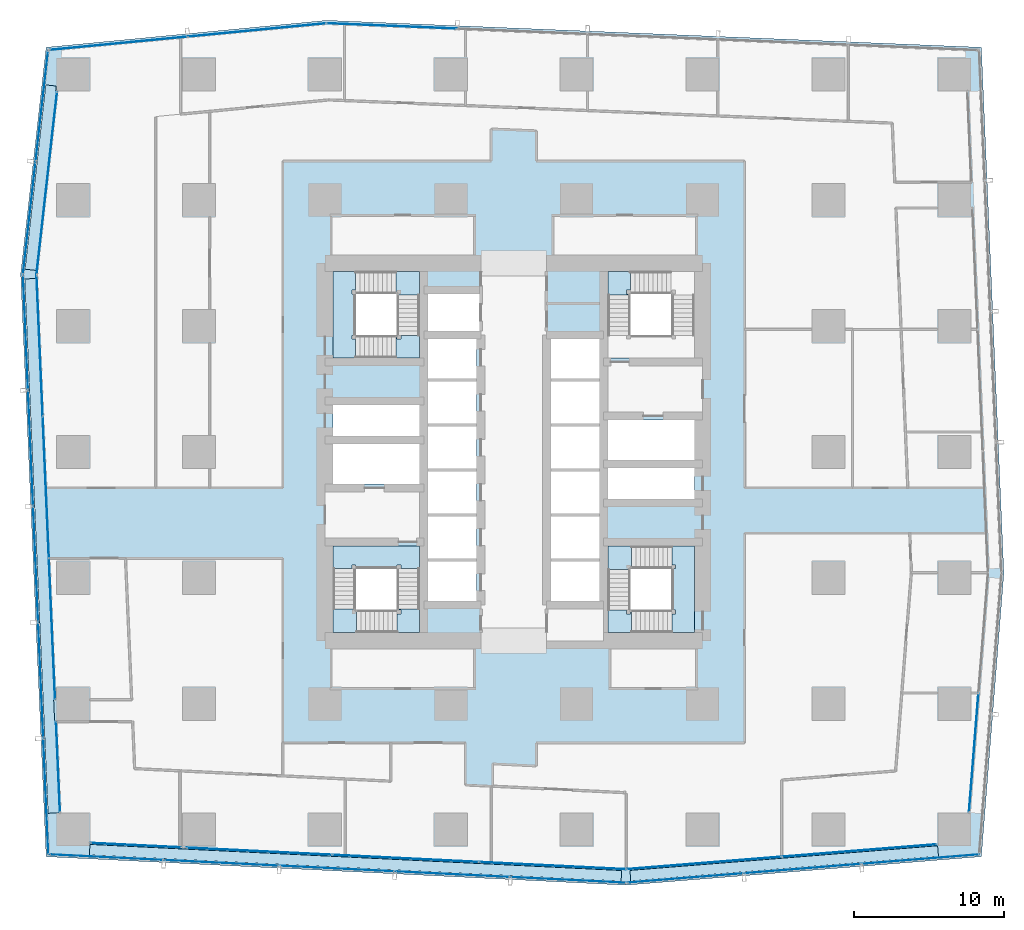
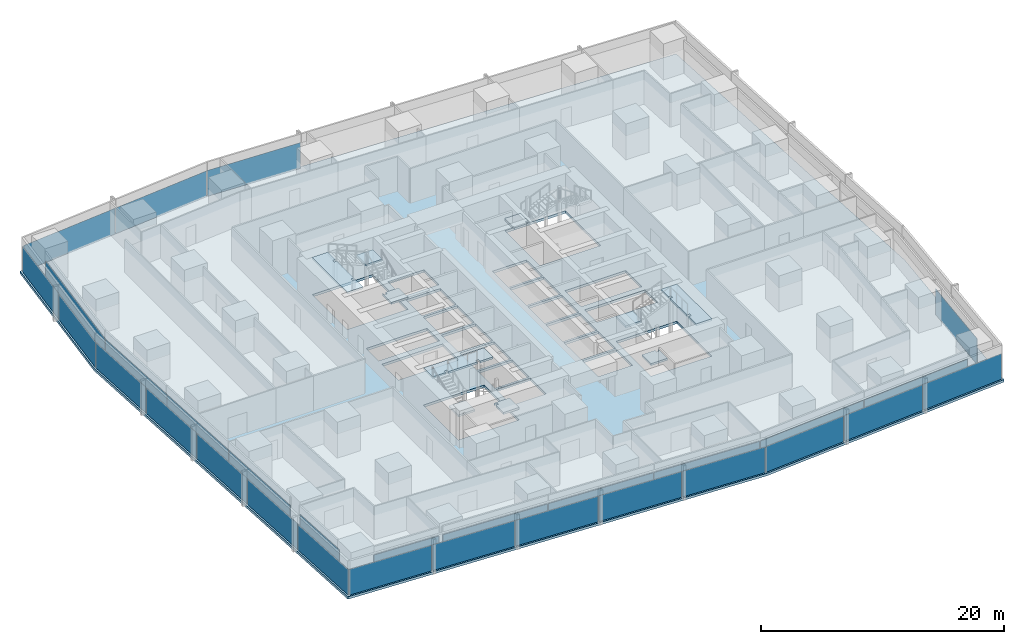
# One storey, part 30 of 44: 34 plates, 11 slabs, 17 elements without a shape of their own.
"""IFC4 building model written with IfcOpenShell, lengths in metres."""

from ifc_helpers import new_model, si_unit, direction, frame, origin, origin_2d, place, context, subcontext, project, spatial, polyline, rectangle, outline, extrude, material, layer, layer_set, type_object, element, aggregate, save


model = new_model("IFC4")

# Units and contexts
model_context = context("Model", 3, precision=1e-05, world=origin(), true_north=direction((0.0, 1.0)))
body_context = subcontext(model_context, "Body", "Model", "MODEL_VIEW")
ifc_project = project(units=[si_unit("LENGTHUNIT", "METRE"), si_unit("AREAUNIT", "SQUARE_METRE"), si_unit("VOLUMEUNIT", "CUBIC_METRE"), si_unit("PLANEANGLEUNIT", "RADIAN"), si_unit("MASSUNIT", "GRAM", prefix="KILO")], contexts=[model_context])

# Site, building, storey
site_placement = place(None, origin())
site = spatial("IfcSite", under=ifc_project, at=site_placement, CompositionType="ELEMENT")
building_placement = place(site_placement, origin())
building = spatial("IfcBuilding", under=site, at=building_placement, Name="Rekha Terrace Tower", CompositionType="ELEMENT")
storey_placement = place(building_placement, frame((0.0, 0.0, 59.14990234375)))
storey = spatial("IfcBuildingStorey", under=building, at=storey_placement, Name="L14", CompositionType="ELEMENT", Elevation=59.14990234375)

# Curtain wall, plate
ifc_material_1 = material(Name="Aluminium framing", Category="aluminium")
curtain_wall_type_1 = type_object("IfcCurtainWallType", Name="CW1 double skin inner glazing", PredefinedType="USERDEFINED", material=ifc_material_1)
curtain_wall_1_placement = place(storey_placement, origin())
curtain_wall_1 = element("IfcCurtainWall", 1, at=curtain_wall_1_placement, inside=storey, type_object=curtain_wall_type_1, Name="CW1 double skin inner glazing", ObjectType="DOUBLE SKIN INNER GLAZING", PredefinedType="USERDEFINED")
ifc_material_2 = material(Name="Double-glazed low-e unit 32", Category="glass")
ifc_layer_1 = layer(ifc_material_2, 0.031982421875)
ifc_layer_set_1 = layer_set([ifc_layer_1], Name="Double-glazed low-e unit 32")
plate_type_1 = type_object("IfcPlateType", Name="CW1 jumbo vision panel, double-glazed low-e unit 32", PredefinedType="CURTAIN_PANEL", material=ifc_layer_set_1)
plate_1_placement = place(storey_placement, frame((12.60009765625, 7.36669921875, 0.0), z_axis=(0.0, 0.0, 1.0), x_axis=(0.998796239977, -0.049051717693, 0.0)))
plate_1 = element("IfcPlate", 2, at=plate_1_placement, type_object=plate_type_1, Name="CW1 panel 1.1", PredefinedType="CURTAIN_PANEL", context=body_context, shape_type="SweptSolid", body=[
    extrude(rectangle(XDim=6.028076171875, YDim=0.031982421875, at=origin_2d()), origin(), (0.0, 0.0, 1.0), 2.60009765625),
])
aggregate(curtain_wall_1, [plate_1])

# Curtain wall, plates
curtain_wall_2_placement = place(storey_placement, origin())
curtain_wall_2 = element("IfcCurtainWall", 3, at=curtain_wall_2_placement, inside=storey, type_object=curtain_wall_type_1, Name="CW1 double skin inner glazing", ObjectType="DOUBLE SKIN INNER GLAZING", PredefinedType="USERDEFINED")
plate_2_placement = place(storey_placement, frame((20.818603515625, 6.962890625, 0.0), z_axis=(0.0, 0.0, 1.0), x_axis=(0.998796239974, -0.049051717746, 0.0)))
plate_2 = element("IfcPlate", 4, at=plate_2_placement, type_object=plate_type_1, Name="CW1 panel 1.1", PredefinedType="CURTAIN_PANEL", context=body_context, shape_type="SweptSolid", body=[
    extrude(rectangle(XDim=9.701904296875, YDim=0.031982421875, at=origin_2d()), origin(), (0.0, 0.0, 1.0), 2.60009765625),
])
plate_3_placement = place(storey_placement, frame((30.590087890625, 6.483154296875, 0.0), z_axis=(0.0, 0.0, 1.0), x_axis=(0.998796239974, -0.049051717746, 0.0)))
plate_3 = element("IfcPlate", 5, at=plate_3_placement, type_object=plate_type_1, Name="CW1 panel 2.1", PredefinedType="CURTAIN_PANEL", context=body_context, shape_type="SweptSolid", body=[
    extrude(rectangle(XDim=9.734619140625, YDim=0.031982421875, at=origin_2d()), origin(), (0.0, 0.0, 1.0), 2.60009765625),
])
plate_4_placement = place(storey_placement, frame((40.39404296875, 6.001708984375, 0.0), z_axis=(0.0, 0.0, 1.0), x_axis=(0.998796239974, -0.049051717746, 0.0)))
plate_4 = element("IfcPlate", 6, at=plate_4_placement, type_object=plate_type_1, Name="CW1 panel 3.1", PredefinedType="CURTAIN_PANEL", context=body_context, shape_type="SweptSolid", body=[
    extrude(rectangle(XDim=9.76708984375, YDim=0.031982421875, at=origin_2d()), origin(), (0.0, 0.0, 1.0), 2.60009765625),
])
aggregate(curtain_wall_2, [plate_2, plate_3, plate_4])

curtain_wall_3_placement = place(storey_placement, origin())
curtain_wall_3 = element("IfcCurtainWall", 7, at=curtain_wall_3_placement, inside=storey, type_object=curtain_wall_type_1, Name="CW1 double skin inner glazing", ObjectType="DOUBLE SKIN INNER GLAZING", PredefinedType="USERDEFINED")
plate_5_placement = place(storey_placement, frame((50.488037109375, 6.18017578125, 0.0), z_axis=(0.0, 0.0, 1.0), x_axis=(0.996805111821, 0.079872204468, 0.0)))
plate_5 = element("IfcPlate", 8, at=plate_5_placement, type_object=plate_type_1, Name="CW1 panel 1.1", PredefinedType="CURTAIN_PANEL", context=body_context, shape_type="SweptSolid", body=[
    extrude(rectangle(XDim=10.336181640625, YDim=0.031982421875, at=origin_2d()), origin(), (0.0, 0.0, 1.0), 2.60009765625),
])
plate_6_placement = place(storey_placement, frame((60.85595703125, 7.0107421875, 0.0), z_axis=(0.0, 0.0, 1.0), x_axis=(0.996805111821, 0.079872204468, 0.0)))
plate_6 = element("IfcPlate", 9, at=plate_6_placement, type_object=plate_type_1, Name="CW1 panel 2.1", PredefinedType="CURTAIN_PANEL", context=body_context, shape_type="SweptSolid", body=[
    extrude(rectangle(XDim=10.336181640625, YDim=0.031982421875, at=origin_2d()), origin(), (0.0, 0.0, 1.0), 2.60009765625),
])
aggregate(curtain_wall_3, [plate_5, plate_6])

# Curtain wall, plate
curtain_wall_4_placement = place(storey_placement, origin())
curtain_wall_4 = element("IfcCurtainWall", 10, at=curtain_wall_4_placement, inside=storey, type_object=curtain_wall_type_1, Name="CW1 double skin inner glazing", ObjectType="DOUBLE SKIN INNER GLAZING", PredefinedType="USERDEFINED")
plate_7_placement = place(storey_placement, frame((68.487548828125, 13.541748046875, 0.0), z_axis=(0.0, 0.0, 1.0), x_axis=(0.079116301, 0.996865392576, 0.0)))
plate_7 = element("IfcPlate", 11, at=plate_7_placement, type_object=plate_type_1, Name="CW1 panel 1.1", PredefinedType="CURTAIN_PANEL", context=body_context, shape_type="SweptSolid", body=[
    extrude(rectangle(XDim=7.923583984375, YDim=0.031982421875, at=origin_2d()), origin(), (0.0, 0.0, 1.0), 2.60009765625),
])
aggregate(curtain_wall_4, [plate_7])

curtain_wall_5_placement = place(storey_placement, origin())
curtain_wall_5 = element("IfcCurtainWall", 12, at=curtain_wall_5_placement, inside=storey, type_object=curtain_wall_type_1, Name="CW1 double skin inner glazing", ObjectType="DOUBLE SKIN INNER GLAZING", PredefinedType="USERDEFINED")
plate_8_placement = place(storey_placement, frame((6.646728515625, 51.52734375, 0.0), z_axis=(0.0, 0.0, 1.0), x_axis=(-0.111729870748, -0.993738615524, 0.0)))
plate_8 = element("IfcPlate", 13, at=plate_8_placement, type_object=plate_type_1, Name="CW1 panel 1.1", PredefinedType="CURTAIN_PANEL", context=body_context, shape_type="SweptSolid", body=[
    extrude(rectangle(XDim=12.243896484375, YDim=0.031982421875, at=origin_2d()), origin(), (0.0, 0.0, 1.0), 2.60009765625),
])
aggregate(curtain_wall_5, [plate_8])

# Curtain wall, plates
curtain_wall_6_placement = place(storey_placement, origin())
curtain_wall_6 = element("IfcCurtainWall", 14, at=curtain_wall_6_placement, inside=storey, type_object=curtain_wall_type_1, Name="CW1 double skin inner glazing", ObjectType="DOUBLE SKIN INNER GLAZING", PredefinedType="USERDEFINED")
plate_9_placement = place(storey_placement, frame((6.170166015625, 40.69482421875, 0.0), z_axis=(0.0, 0.0, 1.0), x_axis=(0.043682543337, -0.999045462133, 0.0)))
plate_9 = element("IfcPlate", 15, at=plate_9_placement, type_object=plate_type_1, Name="CW1 panel 1.1", PredefinedType="CURTAIN_PANEL", context=body_context, shape_type="SweptSolid", body=[
    extrude(rectangle(XDim=9.376953125, YDim=0.031982421875, at=origin_2d()), origin(), (0.0, 0.0, 1.0), 2.60009765625),
])
plate_10_placement = place(storey_placement, frame((6.58349609375, 31.245361328125, 0.0), z_axis=(0.0, 0.0, 1.0), x_axis=(0.043682543337, -0.999045462133, 0.0)))
plate_10 = element("IfcPlate", 16, at=plate_10_placement, type_object=plate_type_1, Name="CW1 panel 2.1", PredefinedType="CURTAIN_PANEL", context=body_context, shape_type="SweptSolid", body=[
    extrude(rectangle(XDim=9.40966796875, YDim=0.031982421875, at=origin_2d()), origin(), (0.0, 0.0, 1.0), 2.60009765625),
])
plate_11_placement = place(storey_placement, frame((6.99658203125, 21.796142578125, 0.0), z_axis=(0.0, 0.0, 1.0), x_axis=(0.043682543337, -0.999045462133, 0.0)))
plate_11 = element("IfcPlate", 17, at=plate_11_placement, type_object=plate_type_1, Name="CW1 panel 3.1", PredefinedType="CURTAIN_PANEL", context=body_context, shape_type="SweptSolid", body=[
    extrude(rectangle(XDim=9.376953125, YDim=0.031982421875, at=origin_2d()), origin(), (0.0, 0.0, 1.0), 2.60009765625),
])
aggregate(curtain_wall_6, [plate_9, plate_10, plate_11])

# Curtain wall, plate
curtain_wall_7_placement = place(storey_placement, origin())
curtain_wall_7 = element("IfcCurtainWall", 18, at=curtain_wall_7_placement, inside=storey, type_object=curtain_wall_type_1, Name="CW1 double skin inner glazing", ObjectType="DOUBLE SKIN INNER GLAZING", PredefinedType="USERDEFINED")
plate_12_placement = place(storey_placement, frame((7.398681640625, 12.60009765625, 0.0), z_axis=(0.0, 0.0, 1.0), x_axis=(0.043682543424, -0.999045462129, 0.0)))
plate_12 = element("IfcPlate", 19, at=plate_12_placement, type_object=plate_type_1, Name="CW1 panel 1.1", PredefinedType="CURTAIN_PANEL", context=body_context, shape_type="SweptSolid", body=[
    extrude(rectangle(XDim=6.027587890625, YDim=0.031982421875, at=origin_2d()), origin(), (0.0, 0.0, 1.0), 2.60009765625),
])
aggregate(curtain_wall_7, [plate_12])

# Curtain wall, plates
curtain_wall_type_2 = type_object("IfcCurtainWallType", Name="CW2 double skin outer glazing", PredefinedType="USERDEFINED", material=ifc_material_1)
curtain_wall_8_placement = place(storey_placement, origin())
curtain_wall_8 = element("IfcCurtainWall", 20, at=curtain_wall_8_placement, inside=storey, type_object=curtain_wall_type_2, Name="CW2 double skin outer glazing", ObjectType="DOUBLE SKIN OUTER GLAZING", PredefinedType="USERDEFINED")
ifc_material_3 = material(Name="Toughened single glazing 12", Category="glass")
ifc_layer_2 = layer(ifc_material_3, 0.011962890625)
ifc_layer_set_2 = layer_set([ifc_layer_2], Name="Toughened single glazing 12")
plate_type_2 = type_object("IfcPlateType", Name="CW2 jumbo vision panel, toughened single glazing 12", PredefinedType="CURTAIN_PANEL", material=ifc_layer_set_2)
plate_13_placement = place(storey_placement, frame((10.626708984375, 6.5625, 0.0), z_axis=(0.0, 0.0, 1.0), x_axis=(0.998796239974, -0.049051717746, 0.0)))
plate_13 = element("IfcPlate", 21, at=plate_13_placement, type_object=plate_type_2, Name="CW2 panel 1.1", PredefinedType="CURTAIN_PANEL", context=body_context, shape_type="SweptSolid", body=[
    extrude(rectangle(XDim=7.595703125, YDim=0.011962890625, at=origin_2d()), origin(), (0.0, 0.0, 1.0), 2.60009765625),
])
plate_14_placement = place(storey_placement, frame((18.31298828125, 6.18505859375, 0.0), z_axis=(0.0, 0.0, 1.0), x_axis=(0.998796239974, -0.049051717746, 0.0)))
plate_14 = element("IfcPlate", 22, at=plate_14_placement, type_object=plate_type_2, Name="CW2 panel 2.1", PredefinedType="CURTAIN_PANEL", context=body_context, shape_type="SweptSolid", body=[
    extrude(rectangle(XDim=7.6357421875, YDim=0.011962890625, at=origin_2d()), origin(), (0.0, 0.0, 1.0), 2.60009765625),
])
plate_15_placement = place(storey_placement, frame((26.01953125, 5.806396484375, 0.0), z_axis=(0.0, 0.0, 1.0), x_axis=(0.998796239974, -0.049051717746, 0.0)))
plate_15 = element("IfcPlate", 23, at=plate_15_placement, type_object=plate_type_2, Name="CW2 panel 3.1", PredefinedType="CURTAIN_PANEL", context=body_context, shape_type="SweptSolid", body=[
    extrude(rectangle(XDim=7.6357421875, YDim=0.011962890625, at=origin_2d()), origin(), (0.0, 0.0, 1.0), 2.60009765625),
])
plate_16_placement = place(storey_placement, frame((33.725830078125, 5.427978515625, 0.0), z_axis=(0.0, 0.0, 1.0), x_axis=(0.998796239974, -0.049051717746, 0.0)))
plate_16 = element("IfcPlate", 24, at=plate_16_placement, type_object=plate_type_2, Name="CW2 panel 4.1", PredefinedType="CURTAIN_PANEL", context=body_context, shape_type="SweptSolid", body=[
    extrude(rectangle(XDim=7.6357421875, YDim=0.011962890625, at=origin_2d()), origin(), (0.0, 0.0, 1.0), 2.60009765625),
])
plate_17_placement = place(storey_placement, frame((41.452392578125, 5.048583984375, 0.0), z_axis=(0.0, 0.0, 1.0), x_axis=(0.998796239974, -0.049051717746, 0.0)))
plate_17 = element("IfcPlate", 25, at=plate_17_placement, type_object=plate_type_2, Name="CW2 panel 5.1", PredefinedType="CURTAIN_PANEL", context=body_context, shape_type="SweptSolid", body=[
    extrude(rectangle(XDim=7.67578125, YDim=0.011962890625, at=origin_2d()), origin(), (0.0, 0.0, 1.0), 2.60009765625),
])
aggregate(curtain_wall_8, [plate_13, plate_14, plate_15, plate_16, plate_17])

curtain_wall_9_placement = place(storey_placement, origin())
curtain_wall_9 = element("IfcCurtainWall", 26, at=curtain_wall_9_placement, inside=storey, type_object=curtain_wall_type_2, Name="CW2 double skin outer glazing", ObjectType="DOUBLE SKIN OUTER GLAZING", PredefinedType="USERDEFINED")
plate_18_placement = place(storey_placement, frame((49.233154296875, 5.176513671875, 0.0), z_axis=(0.0, 0.0, 1.0), x_axis=(0.996805111821, 0.079872204468, 0.0)))
plate_18 = element("IfcPlate", 27, at=plate_18_placement, type_object=plate_type_2, Name="CW2 panel 1.1", PredefinedType="CURTAIN_PANEL", context=body_context, shape_type="SweptSolid", body=[
    extrude(rectangle(XDim=7.760498046875, YDim=0.011962890625, at=origin_2d()), origin(), (0.0, 0.0, 1.0), 2.60009765625),
])
plate_19_placement = place(storey_placement, frame((57.068359375, 5.804443359375, 0.0), z_axis=(0.0, 0.0, 1.0), x_axis=(0.996805111821, 0.079872204468, 0.0)))
plate_19 = element("IfcPlate", 28, at=plate_19_placement, type_object=plate_type_2, Name="CW2 panel 2.1", PredefinedType="CURTAIN_PANEL", context=body_context, shape_type="SweptSolid", body=[
    extrude(rectangle(XDim=7.800537109375, YDim=0.011962890625, at=origin_2d()), origin(), (0.0, 0.0, 1.0), 2.60009765625),
])
plate_20_placement = place(storey_placement, frame((64.943603515625, 6.435546875, 0.0), z_axis=(0.0, 0.0, 1.0), x_axis=(0.996805111821, 0.079872204468, 0.0)))
plate_20 = element("IfcPlate", 29, at=plate_20_placement, type_object=plate_type_2, Name="CW2 panel 3.1", PredefinedType="CURTAIN_PANEL", context=body_context, shape_type="SweptSolid", body=[
    extrude(rectangle(XDim=7.84033203125, YDim=0.011962890625, at=origin_2d()), origin(), (0.0, 0.0, 1.0), 2.60009765625),
])
aggregate(curtain_wall_9, [plate_18, plate_19, plate_20])

curtain_wall_10_placement = place(storey_placement, origin())
curtain_wall_10 = element("IfcCurtainWall", 30, at=curtain_wall_10_placement, inside=storey, type_object=curtain_wall_type_2, Name="CW2 double skin outer glazing", ObjectType="DOUBLE SKIN OUTER GLAZING", PredefinedType="USERDEFINED")
plate_21_placement = place(storey_placement, frame((6.3212890625, 56.688720703125, 0.0), z_axis=(0.0, 0.0, 1.0), x_axis=(-0.111729870782, -0.99373861552, 0.0)))
plate_21 = element("IfcPlate", 31, at=plate_21_placement, type_object=plate_type_2, Name="CW2 panel 1.1", PredefinedType="CURTAIN_PANEL", context=body_context, shape_type="SweptSolid", body=[
    extrude(rectangle(XDim=7.41650390625, YDim=0.011962890625, at=origin_2d()), origin(), (0.0, 0.0, 1.0), 2.60009765625),
])
plate_22_placement = place(storey_placement, frame((5.479248046875, 49.19921875, 0.0), z_axis=(0.0, 0.0, 1.0), x_axis=(-0.111729870782, -0.99373861552, 0.0)))
plate_22 = element("IfcPlate", 32, at=plate_22_placement, type_object=plate_type_2, Name="CW2 panel 2.1", PredefinedType="CURTAIN_PANEL", context=body_context, shape_type="SweptSolid", body=[
    extrude(rectangle(XDim=7.49658203125, YDim=0.011962890625, at=origin_2d()), origin(), (0.0, 0.0, 1.0), 2.60009765625),
])
aggregate(curtain_wall_10, [plate_21, plate_22])

curtain_wall_11_placement = place(storey_placement, origin())
curtain_wall_11 = element("IfcCurtainWall", 33, at=curtain_wall_11_placement, inside=storey, type_object=curtain_wall_type_2, Name="CW2 double skin outer glazing", ObjectType="DOUBLE SKIN OUTER GLAZING", PredefinedType="USERDEFINED")
plate_23_placement = place(storey_placement, frame((5.23046875, 41.582275390625, 0.0), z_axis=(0.0, 0.0, 1.0), x_axis=(0.043682543372, -0.999045462131, 0.0)))
plate_23 = element("IfcPlate", 34, at=plate_23_placement, type_object=plate_type_2, Name="CW2 panel 1.1", PredefinedType="CURTAIN_PANEL", context=body_context, shape_type="SweptSolid", body=[
    extrude(rectangle(XDim=7.6318359375, YDim=0.011962890625, at=origin_2d()), origin(), (0.0, 0.0, 1.0), 2.60009765625),
])
plate_24_placement = place(storey_placement, frame((5.568359375, 33.85791015625, 0.0), z_axis=(0.0, 0.0, 1.0), x_axis=(0.043682543372, -0.999045462131, 0.0)))
plate_24 = element("IfcPlate", 35, at=plate_24_placement, type_object=plate_type_2, Name="CW2 panel 2.1", PredefinedType="CURTAIN_PANEL", context=body_context, shape_type="SweptSolid", body=[
    extrude(rectangle(XDim=7.671875, YDim=0.011962890625, at=origin_2d()), origin(), (0.0, 0.0, 1.0), 2.60009765625),
])
plate_25_placement = place(storey_placement, frame((5.906982421875, 26.113525390625, 0.0), z_axis=(0.0, 0.0, 1.0), x_axis=(0.043682543372, -0.999045462131, 0.0)))
plate_25 = element("IfcPlate", 36, at=plate_25_placement, type_object=plate_type_2, Name="CW2 panel 3.1", PredefinedType="CURTAIN_PANEL", context=body_context, shape_type="SweptSolid", body=[
    extrude(rectangle(XDim=7.671875, YDim=0.011962890625, at=origin_2d()), origin(), (0.0, 0.0, 1.0), 2.60009765625),
])
plate_26_placement = place(storey_placement, frame((6.24560546875, 18.369140625, 0.0), z_axis=(0.0, 0.0, 1.0), x_axis=(0.043682543372, -0.999045462131, 0.0)))
plate_26 = element("IfcPlate", 37, at=plate_26_placement, type_object=plate_type_2, Name="CW2 panel 4.1", PredefinedType="CURTAIN_PANEL", context=body_context, shape_type="SweptSolid", body=[
    extrude(rectangle(XDim=7.671875, YDim=0.011962890625, at=origin_2d()), origin(), (0.0, 0.0, 1.0), 2.60009765625),
])
plate_27_placement = place(storey_placement, frame((6.5849609375, 10.60498046875, 0.0), z_axis=(0.0, 0.0, 1.0), x_axis=(0.043682543372, -0.999045462131, 0.0)))
plate_27 = element("IfcPlate", 38, at=plate_27_placement, type_object=plate_type_2, Name="CW2 panel 5.1", PredefinedType="CURTAIN_PANEL", context=body_context, shape_type="SweptSolid", body=[
    extrude(rectangle(XDim=7.711669921875, YDim=0.011962890625, at=origin_2d()), origin(), (0.0, 0.0, 1.0), 2.60009765625),
])
aggregate(curtain_wall_11, [plate_23, plate_24, plate_25, plate_26, plate_27])

# Curtain wall, plate
curtain_wall_type_3 = type_object("IfcCurtainWallType", Name="CW3 north unitised glazing", PredefinedType="USERDEFINED", material=ifc_material_1)
curtain_wall_12_placement = place(storey_placement, origin())
curtain_wall_12 = element("IfcCurtainWall", 39, at=curtain_wall_12_placement, inside=storey, type_object=curtain_wall_type_3, Name="CW3 unitised curtain wall", ObjectType="UNITISED CURTAIN WALL", PredefinedType="USERDEFINED")
ifc_material_4 = material(Name="Double-glazed unit 28", Category="glass")
ifc_layer_3 = layer(ifc_material_4, 0.028076171875)
ifc_layer_set_3 = layer_set([ifc_layer_3], Name="Double-glazed unit 28")
plate_type_3 = type_object("IfcPlateType", Name="CW3 jumbo vision panel, double-glazed unit 28", PredefinedType="CURTAIN_PANEL", material=ifc_layer_set_3)
plate_28_placement = place(storey_placement, frame((29.65625, 62.021240234375, 0.0), z_axis=(0.0, 0.0, 1.0), x_axis=(-0.999151997647, 0.041173846041, 0.0)))
plate_28 = element("IfcPlate", 40, at=plate_28_placement, type_object=plate_type_3, Name="CW3 panel 5.1", PredefinedType="CURTAIN_PANEL", context=body_context, shape_type="SweptSolid", body=[
    extrude(rectangle(XDim=8.6689453125, YDim=0.028076171875, at=origin_2d()), origin(), (0.0, 0.0, 1.0), 2.60009765625),
])
aggregate(curtain_wall_12, [plate_28])

# Curtain wall, plates
curtain_wall_13_placement = place(storey_placement, origin())
curtain_wall_13 = element("IfcCurtainWall", 41, at=curtain_wall_13_placement, inside=storey, type_object=curtain_wall_type_3, Name="CW3 unitised curtain wall", ObjectType="UNITISED CURTAIN WALL", PredefinedType="USERDEFINED")
plate_29_placement = place(storey_placement, frame((20.671875, 61.752197265625, 0.0), z_axis=(0.0, 0.0, 1.0), x_axis=(-0.995409029102, -0.095712406625, 0.0)))
plate_29 = element("IfcPlate", 42, at=plate_29_placement, type_object=plate_type_3, Name="CW3 panel 1.1", PredefinedType="CURTAIN_PANEL", context=body_context, shape_type="SweptSolid", body=[
    extrude(rectangle(XDim=9.210205078125, YDim=0.028076171875, at=origin_2d()), origin(), (0.0, 0.0, 1.0), 2.60009765625),
])
plate_30_placement = place(storey_placement, frame((11.434326171875, 60.864013671875, 0.0), z_axis=(0.0, 0.0, 1.0), x_axis=(-0.995409029102, -0.095712406625, 0.0)))
plate_30 = element("IfcPlate", 43, at=plate_30_placement, type_object=plate_type_3, Name="CW3 panel 2.1", PredefinedType="CURTAIN_PANEL", context=body_context, shape_type="SweptSolid", body=[
    extrude(rectangle(XDim=9.210205078125, YDim=0.028076171875, at=origin_2d()), origin(), (0.0, 0.0, 1.0), 2.60009765625),
])
aggregate(curtain_wall_13, [plate_29, plate_30])

# Plates
ifc_material_5 = material(Name="Galvanised steel open grating", Category="steel")
ifc_layer_4 = layer(ifc_material_5, 0.050048828125)
ifc_layer_set_4 = layer_set([ifc_layer_4], Name="Galvanised steel open grating")
plate_type_4 = type_object("IfcPlateType", Name="GT1 cavity walkway grating 50", PredefinedType="USERDEFINED", material=ifc_layer_set_4)
plate_31_placement = place(storey_placement, frame((27.24365234375, 6.197021484375, 0.0), z_axis=(0.0, 0.0, 1.0), x_axis=(0.998796239974, -0.049051717746, 0.0)))
element("IfcPlate", 44, at=plate_31_placement, inside=storey, type_object=plate_type_4, Name="Cavity walkway grating", ObjectType="CAVITY WALKWAY GRATING", PredefinedType="USERDEFINED", context=body_context, shape_type="SweptSolid", body=[
    extrude(rectangle(XDim=35.512939453125, YDim=0.705078125, at=origin_2d()), origin(), (0.0, 0.0, 1.0), 0.050048828125),
])
plate_32_placement = place(storey_placement, frame((55.841552734375, 6.15771484375, 0.0), z_axis=(0.0, 0.0, 1.0), x_axis=(0.996805111821, 0.079872204468, 0.0)))
element("IfcPlate", 45, at=plate_32_placement, inside=storey, type_object=plate_type_4, Name="Cavity walkway grating", ObjectType="CAVITY WALKWAY GRATING", PredefinedType="USERDEFINED", context=body_context, shape_type="SweptSolid", body=[
    extrude(rectangle(XDim=20.59375, YDim=0.705078125, at=origin_2d()), origin(), (0.0, 0.0, 1.0), 0.050048828125),
])
plate_33_placement = place(storey_placement, frame((6.236328125, 51.90576171875, 0.0), z_axis=(0.0, 0.0, 1.0), x_axis=(-0.1117298708, -0.993738615518, 0.0)))
element("IfcPlate", 46, at=plate_33_placement, inside=storey, type_object=plate_type_4, Name="Cavity walkway grating", ObjectType="CAVITY WALKWAY GRATING", PredefinedType="USERDEFINED", context=body_context, shape_type="SweptSolid", body=[
    extrude(rectangle(XDim=12.374267578125, YDim=0.705078125, at=origin_2d()), origin(), (0.0, 0.0, 1.0), 0.050048828125),
])
plate_34_placement = place(storey_placement, frame((6.303955078125, 27.3349609375, 0.0), z_axis=(0.0, 0.0, 1.0), x_axis=(0.043682543355, -0.999045462132, 0.0)))
element("IfcPlate", 47, at=plate_34_placement, inside=storey, type_object=plate_type_4, Name="Cavity walkway grating", ObjectType="CAVITY WALKWAY GRATING", PredefinedType="USERDEFINED", context=body_context, shape_type="SweptSolid", body=[
    extrude(rectangle(XDim=35.682861328125, YDim=0.705078125, at=origin_2d()), origin(), (0.0, 0.0, 1.0), 0.050048828125),
])

# Stair, slabs
ifc_material_6 = material(Name="Concrete M40", Category="concrete")
stair_type = type_object("IfcStairType", Name="ST30 stair, 30 risers of 125, going 300, 1500 wide flights, 3 flights", PredefinedType="HALF_TURN_STAIR", material=ifc_material_6)
stair_1_placement = place(storey_placement, origin())
stair_1 = element("IfcStair", 48, at=stair_1_placement, inside=storey, type_object=stair_type, Name="Stair ST1 L14 to L15", PredefinedType="HALF_TURN_STAIR")
ifc_layer_5 = layer(ifc_material_6, 0.199951171875)
ifc_layer_set_5 = layer_set([ifc_layer_5], Name="Concrete M40")
slab_type_1 = type_object("IfcSlabType", Name="LD1 200 concrete stair landing", PredefinedType="LANDING", material=ifc_layer_set_5)
slab_1_placement = place(storey_placement, frame((0.0, 0.0, 1.050048828125)))
slab_1 = element("IfcSlab", 49, at=slab_1_placement, type_object=slab_type_1, Name="ST1 landing 1", PredefinedType="LANDING", context=body_context, shape_type="SweptSolid", body=[
    extrude(outline(polyline([(30.02490234375, 21.550048828125), (31.52490234375, 21.550048828125), (31.52490234375, 23.125), (30.02490234375, 23.125), (30.02490234375, 23.050048828125), (30.27490234375, 23.050048828125), (30.27490234375, 22.800048828125), (30.02490234375, 22.800048828125), (30.02490234375, 21.550048828125)])), origin(), (0.0, 0.0, 1.0), 0.199951171875),
])
slab_2_placement = place(storey_placement, frame((0.0, 0.0, 2.300048828125)))
slab_2 = element("IfcSlab", 50, at=slab_2_placement, type_object=slab_type_1, Name="ST1 landing 2", PredefinedType="LANDING", context=body_context, shape_type="SweptSolid", body=[
    extrude(outline(polyline([(27.25, 23.125), (25.75, 23.125), (25.75, 21.550048828125), (27.324951171875, 21.550048828125), (27.324951171875, 23.050048828125), (27.25, 23.050048828125), (27.25, 23.125)])), origin(), (0.0, 0.0, 1.0), 0.199951171875),
])
slab_3_placement = place(storey_placement, frame((0.0, 0.0, 3.550048828125)))
slab_3 = element("IfcSlab", 51, at=slab_3_placement, type_object=slab_type_1, Name="ST1 landing 3", PredefinedType="LANDING", context=body_context, shape_type="SweptSolid", body=[
    extrude(outline(polyline([(31.52490234375, 25.824951171875), (31.52490234375, 27.324951171875), (25.75, 27.324951171875), (25.75, 25.824951171875), (27.0, 25.824951171875), (27.0, 26.074951171875), (27.25, 26.074951171875), (27.25, 25.824951171875), (30.02490234375, 25.824951171875), (30.02490234375, 26.074951171875), (30.27490234375, 26.074951171875), (30.27490234375, 25.824951171875), (31.52490234375, 25.824951171875)])), origin(), (0.0, 0.0, 1.0), 0.199951171875),
])
aggregate(stair_1, [slab_1, slab_2, slab_3])

# Stair, slab
stair_2_placement = place(storey_placement, origin())
stair_2 = element("IfcStair", 52, at=stair_2_placement, inside=storey, type_object=stair_type, Name="Stair ST2 L14 to L15", PredefinedType="HALF_TURN_STAIR")
slab_4_placement = place(storey_placement, frame((0.0, 0.0, 1.050048828125)))
slab_4 = element("IfcSlab", 53, at=slab_4_placement, type_object=slab_type_1, Name="ST2 landing 1", PredefinedType="LANDING", context=body_context, shape_type="SweptSolid", body=[
    extrude(outline(polyline([(45.574951171875, 45.64990234375), (44.074951171875, 45.64990234375), (44.074951171875, 44.074951171875), (45.574951171875, 44.074951171875), (45.574951171875, 44.14990234375), (45.324951171875, 44.14990234375), (45.324951171875, 44.39990234375), (45.574951171875, 44.39990234375), (45.574951171875, 45.64990234375)])), origin(), (0.0, 0.0, 1.0), 0.199951171875),
])
aggregate(stair_2, [slab_4])

# Stair, slabs
stair_3_placement = place(storey_placement, origin())
stair_3 = element("IfcStair", 54, at=stair_3_placement, inside=storey, type_object=stair_type, Name="Stair ST3 L14 to L15", PredefinedType="HALF_TURN_STAIR")
slab_5_placement = place(storey_placement, frame((0.0, 0.0, 1.050048828125)))
slab_5 = element("IfcSlab", 55, at=slab_5_placement, type_object=slab_type_1, Name="ST3 landing 1", PredefinedType="LANDING", context=body_context, shape_type="SweptSolid", body=[
    extrude(outline(polyline([(44.074951171875, 23.050048828125), (44.074951171875, 21.550048828125), (45.64990234375, 21.550048828125), (45.64990234375, 23.050048828125), (45.574951171875, 23.050048828125), (45.574951171875, 22.800048828125), (45.324951171875, 22.800048828125), (45.324951171875, 23.050048828125), (44.074951171875, 23.050048828125)])), origin(), (0.0, 0.0, 1.0), 0.199951171875),
])
slab_6_placement = place(storey_placement, frame((0.0, 0.0, 2.300048828125)))
slab_6 = element("IfcSlab", 56, at=slab_6_placement, type_object=slab_type_1, Name="ST3 landing 2", PredefinedType="LANDING", context=body_context, shape_type="SweptSolid", body=[
    extrude(outline(polyline([(45.64990234375, 25.824951171875), (45.64990234375, 27.324951171875), (44.074951171875, 27.324951171875), (44.074951171875, 25.75), (45.574951171875, 25.75), (45.574951171875, 25.824951171875), (45.64990234375, 25.824951171875)])), origin(), (0.0, 0.0, 1.0), 0.199951171875),
])
slab_7_placement = place(storey_placement, frame((0.0, 0.0, 3.550048828125)))
slab_7 = element("IfcSlab", 57, at=slab_7_placement, type_object=slab_type_1, Name="ST3 landing 3", PredefinedType="LANDING", context=body_context, shape_type="SweptSolid", body=[
    extrude(outline(polyline([(48.35009765625, 21.550048828125), (49.85009765625, 21.550048828125), (49.85009765625, 27.324951171875), (48.35009765625, 27.324951171875), (48.35009765625, 26.074951171875), (48.60009765625, 26.074951171875), (48.60009765625, 25.824951171875), (48.35009765625, 25.824951171875), (48.35009765625, 23.050048828125), (48.60009765625, 23.050048828125), (48.60009765625, 22.800048828125), (48.35009765625, 22.800048828125), (48.35009765625, 21.550048828125)])), origin(), (0.0, 0.0, 1.0), 0.199951171875),
])
aggregate(stair_3, [slab_5, slab_6, slab_7])

stair_4_placement = place(storey_placement, origin())
stair_4 = element("IfcStair", 58, at=stair_4_placement, inside=storey, type_object=stair_type, Name="Stair ST4 L14 to L15", PredefinedType="HALF_TURN_STAIR")
slab_8_placement = place(storey_placement, frame((0.0, 0.0, 1.050048828125)))
slab_8 = element("IfcSlab", 59, at=slab_8_placement, type_object=slab_type_1, Name="ST4 landing 1", PredefinedType="LANDING", context=body_context, shape_type="SweptSolid", body=[
    extrude(outline(polyline([(31.52490234375, 41.375), (31.52490234375, 39.875), (29.949951171875, 39.875), (29.949951171875, 41.375), (30.02490234375, 41.375), (30.02490234375, 41.125), (30.27490234375, 41.125), (30.27490234375, 41.375), (31.52490234375, 41.375)])), origin(), (0.0, 0.0, 1.0), 0.199951171875),
])
slab_9_placement = place(storey_placement, frame((0.0, 0.0, 2.300048828125)))
slab_9 = element("IfcSlab", 60, at=slab_9_placement, type_object=slab_type_1, Name="ST4 landing 2", PredefinedType="LANDING", context=body_context, shape_type="SweptSolid", body=[
    extrude(outline(polyline([(29.949951171875, 44.14990234375), (29.949951171875, 45.64990234375), (31.52490234375, 45.64990234375), (31.52490234375, 44.074951171875), (30.02490234375, 44.074951171875), (30.02490234375, 44.14990234375), (29.949951171875, 44.14990234375)])), origin(), (0.0, 0.0, 1.0), 0.199951171875),
])
slab_10_placement = place(storey_placement, frame((0.0, 0.0, 3.550048828125)))
slab_10 = element("IfcSlab", 61, at=slab_10_placement, type_object=slab_type_1, Name="ST4 landing 3", PredefinedType="LANDING", context=body_context, shape_type="SweptSolid", body=[
    extrude(outline(polyline([(27.25, 39.875), (25.75, 39.875), (25.75, 45.64990234375), (27.25, 45.64990234375), (27.25, 44.39990234375), (27.0, 44.39990234375), (27.0, 44.14990234375), (27.25, 44.14990234375), (27.25, 41.375), (27.0, 41.375), (27.0, 41.125), (27.25, 41.125), (27.25, 39.875)])), origin(), (0.0, 0.0, 1.0), 0.199951171875),
])
aggregate(stair_4, [slab_8, slab_9, slab_10])

# Slab
ifc_material_7 = material(Name="Concrete M50", Category="concrete")
ifc_layer_6 = layer(ifc_material_7, 0.25)
ifc_layer_set_6 = layer_set([ifc_layer_6], Name="Concrete M50")
slab_type_2 = type_object("IfcSlabType", Name="SL4 250 post-tensioned flat plate", PredefinedType="FLOOR", material=ifc_layer_set_6)
slab_11_placement = place(storey_placement, frame((0.0, 0.0, -0.25)))
element("IfcSlab", 62, at=slab_11_placement, inside=storey, type_object=slab_type_2, Name="Post-tensioned flat plate L14", PredefinedType="FLOOR", context=body_context, shape_type="SweptSolid", body=[
    extrude(outline(polyline([(4.89990234375, 45.47998046875), (6.60009765625, 6.60009765625), (45.2880859375, 4.699951171875), (69.0, 6.60009765625), (70.5, 25.5), (69.0, 60.60009765625), (25.320068359375, 62.39990234375), (6.60009765625, 60.60009765625), (4.89990234375, 45.47998046875)]), holes=[polyline([(31.52490234375, 27.324951171875), (31.52490234375, 21.550048828125), (25.75, 21.550048828125), (25.75, 27.324951171875), (31.52490234375, 27.324951171875)]), polyline([(35.324951171875, 26.300048828125), (35.324951171875, 23.675048828125), (32.074951171875, 23.675048828125), (32.074951171875, 26.300048828125), (35.324951171875, 26.300048828125)]), polyline([(35.324951171875, 29.300048828125), (35.324951171875, 26.5), (32.074951171875, 26.5), (32.074951171875, 29.300048828125), (35.324951171875, 29.300048828125)]), polyline([(35.324951171875, 29.5), (32.074951171875, 29.5), (32.074951171875, 32.300048828125), (35.324951171875, 32.300048828125), (35.324951171875, 29.5)]), polyline([(31.52490234375, 31.47509765625), (25.75, 31.47509765625), (25.75, 34.125), (31.52490234375, 34.125), (31.52490234375, 31.47509765625)]), polyline([(35.324951171875, 35.300048828125), (35.324951171875, 32.5), (32.074951171875, 32.5), (32.074951171875, 35.300048828125), (35.324951171875, 35.300048828125)]), polyline([(31.52490234375, 36.72509765625), (31.52490234375, 34.675048828125), (25.75, 34.675048828125), (25.75, 36.72509765625), (31.52490234375, 36.72509765625)]), polyline([(35.324951171875, 38.300048828125), (35.324951171875, 35.5), (32.074951171875, 35.5), (32.074951171875, 38.300048828125), (35.324951171875, 38.300048828125)]), polyline([(35.324951171875, 38.5), (32.074951171875, 38.5), (32.074951171875, 41.125), (35.324951171875, 41.125), (35.324951171875, 38.5)]), polyline([(31.52490234375, 39.875), (25.75, 39.875), (25.75, 45.64990234375), (31.52490234375, 45.64990234375), (31.52490234375, 39.875)]), polyline([(35.5, 44.125), (35.5, 41.675048828125), (32.074951171875, 41.675048828125), (32.074951171875, 44.125), (35.5, 44.125)]), polyline([(49.85009765625, 27.324951171875), (49.85009765625, 21.550048828125), (44.074951171875, 21.550048828125), (44.074951171875, 27.324951171875), (49.85009765625, 27.324951171875)]), polyline([(43.52490234375, 26.300048828125), (43.52490234375, 23.675048828125), (40.27490234375, 23.675048828125), (40.27490234375, 26.300048828125), (43.52490234375, 26.300048828125)]), polyline([(43.52490234375, 26.5), (40.27490234375, 26.5), (40.27490234375, 29.300048828125), (43.52490234375, 29.300048828125), (43.52490234375, 26.5)]), polyline([(43.52490234375, 29.5), (40.27490234375, 29.5), (40.27490234375, 32.300048828125), (43.52490234375, 32.300048828125), (43.52490234375, 29.5)]), polyline([(49.85009765625, 32.52490234375), (49.85009765625, 30.47509765625), (44.074951171875, 30.47509765625), (44.074951171875, 32.52490234375), (49.85009765625, 32.52490234375)]), polyline([(43.52490234375, 32.5), (40.27490234375, 32.5), (40.27490234375, 35.300048828125), (43.52490234375, 35.300048828125), (43.52490234375, 32.5)]), polyline([(49.85009765625, 33.074951171875), (44.074951171875, 33.074951171875), (44.074951171875, 35.72509765625), (49.85009765625, 35.72509765625), (49.85009765625, 33.074951171875)]), polyline([(43.52490234375, 38.300048828125), (43.52490234375, 35.5), (40.27490234375, 35.5), (40.27490234375, 38.300048828125), (43.52490234375, 38.300048828125)]), polyline([(43.52490234375, 38.5), (40.27490234375, 38.5), (40.27490234375, 41.125), (43.52490234375, 41.125), (43.52490234375, 38.5)]), polyline([(49.85009765625, 39.875), (44.074951171875, 39.875), (44.074951171875, 45.64990234375), (49.85009765625, 45.64990234375), (49.85009765625, 39.875)])]), origin(), (0.0, 0.0, 1.0), 0.25),
])

save(model, "model.ifc")
